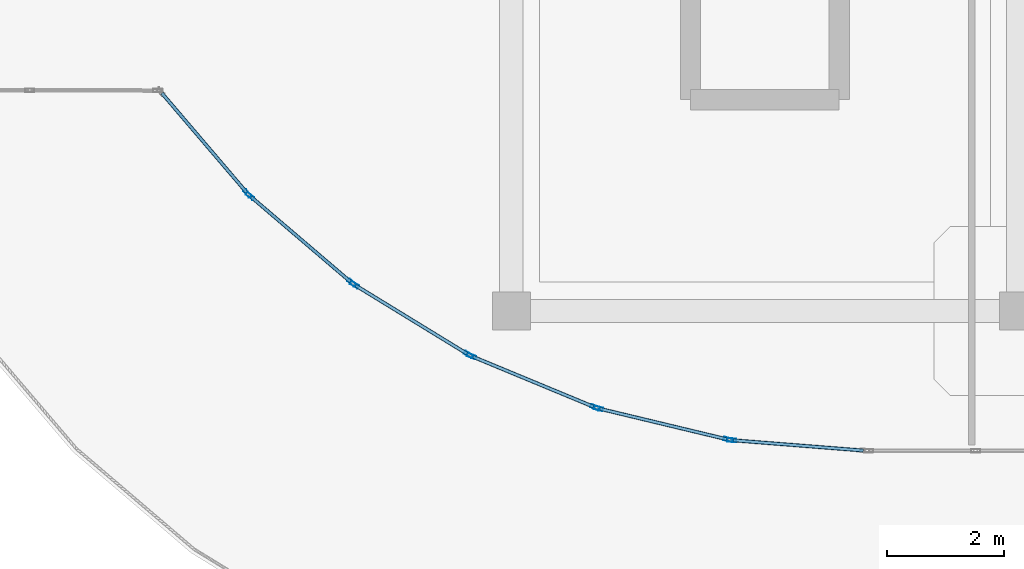
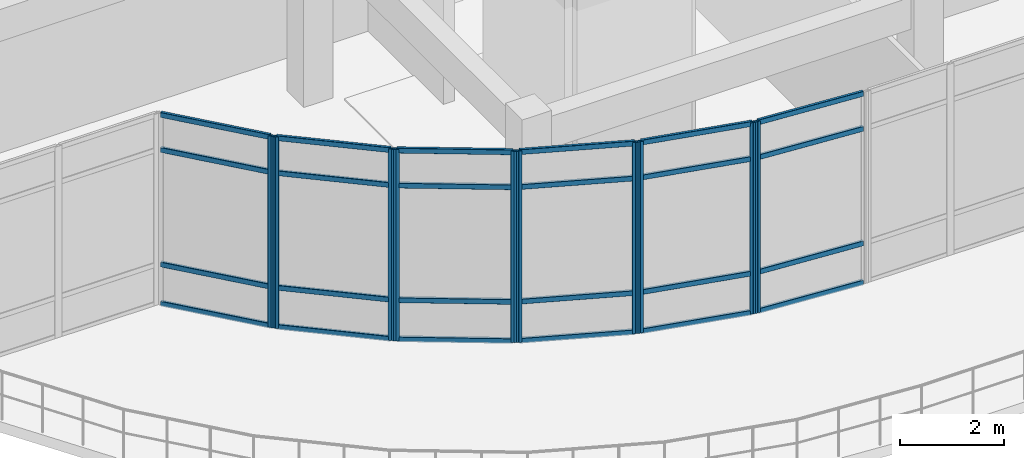
# One storey, part 5 of 41: 34 members, 6 elements without a shape of their own.
"""IFC4 building model written with IfcOpenShell, lengths in metres."""

import ifcopenshell
import ifcopenshell.guid

model = None  # the IFC model being written
_history = None  # IfcOwnerHistory: only IFC2X3 demands one
_inside = {}  # id of a spatial element -> (the spatial element, [elements in it])
_under = {}  # id of a project, library or spatial element -> (it, [spatial elements below it])
_declared = {}  # id of a project -> (the project, [libraries it declares])
_typed = {}  # id of a type object -> (the type object, [elements of that type])
_made_of = {}  # id of a material, layer set ... -> (it, [elements and type objects made of it])


def new_model(schema):
    """Start an empty IFC model of exactly this schema.

    Asked for "IFC4X3", IfcOpenShell would pick the latest addendum, in which some entities
    have other attributes; the version numbers below select the first issue.
    IFC2X3 requires an IfcOwnerHistory on every rooted entity: one is made here for all.
    """
    global model, _history
    if schema == "IFC4X3":
        model = ifcopenshell.file(schema_version=(4, 3, 0, 0))
    else:
        model = ifcopenshell.file(schema=schema)
    _inside.clear()
    _under.clear()
    _declared.clear()
    _typed.clear()
    _made_of.clear()
    _history = None
    if model.schema == "IFC2X3":
        org = make("IfcOrganization", Name="unknown")
        user = make(
            "IfcPersonAndOrganization",
            ThePerson=make("IfcPerson", FamilyName="unknown"),
            TheOrganization=org,
        )
        app = make(
            "IfcApplication",
            ApplicationDeveloper=org,
            Version="unknown",
            ApplicationFullName="unknown",
            ApplicationIdentifier="unknown",
        )
        _history = make(
            "IfcOwnerHistory",
            OwningUser=user,
            OwningApplication=app,
            ChangeAction="ADDED",
            CreationDate=0,
        )
    return model


def make(cls, **values):
    """One entity of the class cls with the attributes given. An attribute that is None is left unset."""
    return model.create_entity(
        cls, **{name: value for name, value in values.items() if value is not None}
    )


def rooted(cls, **values):
    """An entity with a GlobalId (a new one), such as an element, a storey or a relation."""
    return make(cls, GlobalId=ifcopenshell.guid.new(), OwnerHistory=_history, **values)


def si_unit(unit_type, name, prefix=None):
    """IfcSIUnit, for example si_unit("LENGTHUNIT", "METRE", prefix="MILLI")."""
    return make("IfcSIUnit", UnitType=unit_type, Prefix=prefix, Name=name)


def derived_unit(unit_type, elements):
    """IfcDerivedUnit: a product of units, each with its exponent."""
    return make(
        "IfcDerivedUnit",
        Elements=[
            make("IfcDerivedUnitElement", Unit=unit, Exponent=power)
            for unit, power in elements
        ],
        UnitType=unit_type,
    )


def assignment(units):
    """IfcUnitAssignment: the units of a project."""
    return None if units is None else make("IfcUnitAssignment", Units=units)


def point(xyz):
    """IfcCartesianPoint."""
    return None if xyz is None else make("IfcCartesianPoint", Coordinates=xyz)


def direction(xyz):
    """IfcDirection."""
    return None if xyz is None else make("IfcDirection", DirectionRatios=xyz)


def frame(location, z_axis=None, x_axis=None):
    """IfcAxis2Placement3D, a coordinate frame: its origin and axes. An axis left out is left unset."""
    return make(
        "IfcAxis2Placement3D",
        Location=point(location),
        Axis=direction(z_axis),
        RefDirection=direction(x_axis),
    )


def frame_2d(location, x_axis=None):
    """IfcAxis2Placement2D, a coordinate frame in the plane: its origin and x axis."""
    return make(
        "IfcAxis2Placement2D", Location=point(location), RefDirection=direction(x_axis)
    )


def origin():
    """The frame at (0, 0, 0) with its axes left unset."""
    return frame((0.0, 0.0, 0.0))


def origin_2d():
    """The frame at (0, 0) in the plane with its x axis left unset."""
    return frame_2d((0.0, 0.0))


def place(relative_to, where):
    """IfcLocalPlacement: puts the frame where relative to a parent placement (None: the world)."""
    return make(
        "IfcLocalPlacement", PlacementRelTo=relative_to, RelativePlacement=where
    )


def context(
    kind, dimensions, precision=None, world=None, true_north=None, identifier=None
):
    """IfcGeometricRepresentationContext, for example the 3D "Model" context."""
    return make(
        "IfcGeometricRepresentationContext",
        ContextIdentifier=identifier,
        ContextType=kind,
        CoordinateSpaceDimension=dimensions,
        Precision=precision,
        WorldCoordinateSystem=world,
        TrueNorth=true_north,
    )


def subcontext(parent, identifier, kind, view, scale=None):
    """IfcGeometricRepresentationSubContext, for example "Body" below "Model"."""
    return make(
        "IfcGeometricRepresentationSubContext",
        ContextIdentifier=identifier,
        ContextType=kind,
        ParentContext=parent,
        TargetScale=scale,
        TargetView=view,
    )


def project(units=None, contexts=None):
    """IfcProject with its units and contexts."""
    return rooted(
        "IfcProject",
        Name="project",
        RepresentationContexts=contexts,
        UnitsInContext=assignment(units),
    )


def spatial(cls, under=None, at=None, **own):
    """A site, building, storey or space (cls), placed at a placement, below another one or the project."""
    s = rooted(cls, ObjectPlacement=at, **own)
    if under is not None:
        _under.setdefault(under.id(), (under, []))[1].append(s)
    return s


def profile(cls, at=None, kind="AREA", **sizes):
    """A parametric profile (cls). Its sizes go by their IFC names, for example OverallWidth=200.0."""
    return make(cls, ProfileType=kind, Position=at, **sizes)


def hollow_rectangle(**sizes):
    """IfcRectangleHollowProfileDef."""
    return profile("IfcRectangleHollowProfileDef", **sizes)


def extrude(swept, where, along, depth):
    """IfcExtrudedAreaSolid: the profile swept, set in the frame where, extruded along a direction by depth."""
    return make(
        "IfcExtrudedAreaSolid",
        SweptArea=swept,
        Position=where,
        ExtrudedDirection=direction(along),
        Depth=depth,
    )


def shape(context_of_items, identifier, shape_type, items):
    """IfcShapeRepresentation: the items that make up one representation, for example the "Body"."""
    return make(
        "IfcShapeRepresentation",
        ContextOfItems=context_of_items,
        RepresentationIdentifier=identifier,
        RepresentationType=shape_type,
        Items=items,
    )


def material(Name=None, Category=None):
    """IfcMaterial."""
    return make("IfcMaterial", Name=Name, Category=Category)


def layer(
    of_material, thickness, ventilated=None, Name=None, Category=None, Priority=None
):
    """IfcMaterialLayer: one layer of a wall or slab, of a material (None: an air gap)."""
    return make(
        "IfcMaterialLayer",
        Material=of_material,
        LayerThickness=thickness,
        IsVentilated=ventilated,
        Name=Name,
        Category=Category,
        Priority=Priority,
    )


def layer_set(layers, Name=None):
    """IfcMaterialLayerSet."""
    return make("IfcMaterialLayerSet", MaterialLayers=layers, LayerSetName=Name)


def material_profile(
    of_material, cross_section, Name=None, Category=None, Priority=None
):
    """IfcMaterialProfile: a cross section and its material."""
    return make(
        "IfcMaterialProfile",
        Name=Name,
        Material=of_material,
        Profile=cross_section,
        Priority=Priority,
        Category=Category,
    )


def profile_set(profiles, Name=None, composite=None):
    """IfcMaterialProfileSet."""
    return make(
        "IfcMaterialProfileSet",
        Name=Name,
        MaterialProfiles=profiles,
        CompositeProfile=composite,
    )


def made_of(thing, what):
    """Note that an element or type object is made of a material, layer set ...; save() writes the relation."""
    if what is not None:
        _made_of.setdefault(what.id(), (what, []))[1].append(thing)
    return thing


def type_object(cls, material=None, **own):
    """A type object (cls), such as IfcWallType, which elements share."""
    return made_of(rooted(cls, **own), material)


def element(
    cls,
    number,
    at=None,
    inside=None,
    cuts=None,
    type_object=None,
    material=None,
    context=None,
    identifier="Body",
    shape_type=None,
    held_by="IfcProductDefinitionShape",
    body=None,
    shapes=None,
    **own,
):
    """One element of the class cls, such as IfcWall. Its Tag is "e" and its number.

    at: its placement. inside: the storey or other place that contains it. cuts: it is an
    opening in that element (IfcRelVoidsElement). A single representation is given by context,
    identifier, shape_type and body (its items); several are given by shapes. held_by: the class
    of the entity that holds the representations. save() writes the other relations.
    """
    e = rooted(cls, Tag="e%d" % number, ObjectPlacement=at, **own)
    if body is not None:
        shapes = [shape(context, identifier, shape_type, body)]
    if shapes is not None:
        e.Representation = make(held_by, Representations=shapes)
    if inside is not None:
        _inside.setdefault(inside.id(), (inside, []))[1].append(e)
    if cuts is not None:
        rooted(
            "IfcRelVoidsElement", RelatingBuildingElement=cuts, RelatedOpeningElement=e
        )
    if type_object is not None:
        _typed.setdefault(type_object.id(), (type_object, []))[1].append(e)
    return made_of(e, material)


def aggregate(whole, parts):
    """IfcRelAggregates: a whole, such as a stair, and the parts it consists of."""
    return rooted("IfcRelAggregates", RelatingObject=whole, RelatedObjects=parts)


def save(model, path):
    """Write the relations noted so far, then the file.

    IfcRelAggregates (storeys below a building ...), IfcRelContainedInSpatialStructure (elements
    in a storey), IfcRelDefinesByType, IfcRelAssociatesMaterial and IfcRelDeclares: one each for
    every whole, place, type object, material and project.
    """
    for whole, parts in _under.values():
        aggregate(whole, parts)
    for where, things in _inside.values():
        rooted(
            "IfcRelContainedInSpatialStructure",
            RelatedElements=things,
            RelatingStructure=where,
        )
    for kind, things in _typed.values():
        rooted("IfcRelDefinesByType", RelatedObjects=things, RelatingType=kind)
    for what, things in _made_of.values():
        rooted("IfcRelAssociatesMaterial", RelatedObjects=things, RelatingMaterial=what)
    for by, libraries in _declared.values():
        rooted("IfcRelDeclares", RelatingContext=by, RelatedDefinitions=libraries)
    model.write(path)


model = new_model("IFC4")

# Units and contexts
model_context = context("Model", 3, precision=1e-05, world=origin(), true_north=direction((0.0, 1.0)))
body_context = subcontext(model_context, "Body", "Model", "MODEL_VIEW")
ifc_project = project(units=[si_unit("LENGTHUNIT", "METRE"), si_unit("AREAUNIT", "SQUARE_METRE"), si_unit("VOLUMEUNIT", "CUBIC_METRE"), si_unit("PLANEANGLEUNIT", "RADIAN"), si_unit("MASSUNIT", "GRAM", prefix="KILO"), derived_unit("THERMALTRANSMITTANCEUNIT", [(si_unit("MASSUNIT", "GRAM", prefix="KILO"), 1), (si_unit("TIMEUNIT", "SECOND"), -3), (si_unit("THERMODYNAMICTEMPERATUREUNIT", "KELVIN"), -1)])], contexts=[model_context])

# Site, building, storey
site_placement = place(None, origin())
site = spatial("IfcSite", under=ifc_project, at=site_placement, CompositionType="ELEMENT")
building_placement = place(site_placement, origin())
building = spatial("IfcBuilding", under=site, at=building_placement, Name="Qinzheling Arcade Emporium", CompositionType="ELEMENT")
storey_placement = place(building_placement, frame((0.0, 0.0, 36.300048828125)))
storey = spatial("IfcBuildingStorey", under=building, at=storey_placement, Name="L08", CompositionType="ELEMENT", Elevation=36.300048828125)

# Curtain wall, member
ifc_material_1 = material(Name="Anodised aluminium and solar-control double glazing", Category="aluminium")
ifc_layer_1 = layer(ifc_material_1, 0.159912109375, Name="Anodised aluminium and solar-control double glazing", Category="aluminium")
ifc_layer_set_1 = layer_set([ifc_layer_1], Name="Anodised aluminium and solar-control double glazing")
curtain_wall_type_1 = type_object("IfcCurtainWallType", Name="Arcade Portal Glazed Curtain Wall", PredefinedType="NOTDEFINED", material=ifc_layer_set_1)
curtain_wall_1_placement = place(storey_placement, origin())
curtain_wall_1 = element("IfcCurtainWall", 1, at=curtain_wall_1_placement, inside=storey, type_object=curtain_wall_type_1, Name="Curtain Wall CW-L08-453", PredefinedType="NOTDEFINED")
ifc_material_2 = material(Name="Anodised aluminium 6063-T6", Category="aluminium")
ifc_material_profile_1 = material_profile(ifc_material_2, hollow_rectangle(XDim=0.06005859375, YDim=0.159912109375, WallThickness=0.00390625, InnerFilletRadius=0.00390625, OuterFilletRadius=0.008056640625, at=origin_2d()), Name="RHS 160x60x4", Category="aluminium")
ifc_profile_set_1 = profile_set([ifc_material_profile_1], Name="Anodised aluminium 6063-T6")
member_type_1 = type_object("IfcMemberType", Name="Curtain Wall Mullion RHS160x60", PredefinedType="MULLION", material=ifc_profile_set_1)
member_1_placement = place(storey_placement, frame((29.8828125, 22.982666015625, 0.0), z_axis=(0.0, 0.0, 1.0), x_axis=(-0.078580290076, -0.996907788119, 0.0)))
member_1 = element("IfcMember", 2, at=member_1_placement, type_object=member_type_1, Name="CW05 mullion 2", PredefinedType="MULLION", context=body_context, shape_type="SweptSolid", body=[
    extrude(hollow_rectangle(XDim=0.06005859375, YDim=0.159912109375, WallThickness=0.00390625, InnerFilletRadius=0.00390625, OuterFilletRadius=0.008056640625, at=origin_2d()), origin(), (0.0, 0.0, 1.0), 4.489990234375),
])

# Curtain wall, members
ifc_layer_2 = layer(ifc_material_1, 0.159912109375, Name="Anodised aluminium and solar-control double glazing", Category="aluminium")
ifc_layer_set_2 = layer_set([ifc_layer_2], Name="Anodised aluminium and solar-control double glazing")
curtain_wall_type_2 = type_object("IfcCurtainWallType", Name="Curved Ribbon Sales Curtain Wall", PredefinedType="NOTDEFINED", material=ifc_layer_set_2)
curtain_wall_2_placement = place(storey_placement, origin())
curtain_wall_2 = element("IfcCurtainWall", 3, at=curtain_wall_2_placement, inside=storey, type_object=curtain_wall_type_2, Name="Curtain Wall CW-L08-454", PredefinedType="NOTDEFINED")
member_2_placement = place(storey_placement, frame((29.82373046875, 22.991943359375, 0.0), z_axis=(0.0, 0.0, 1.0), x_axis=(-0.233324729854, -0.972398874145, 0.0)))
member_2 = element("IfcMember", 4, at=member_2_placement, type_object=member_type_1, Name="CW02 mullion 1", PredefinedType="MULLION", context=body_context, shape_type="SweptSolid", body=[
    extrude(hollow_rectangle(XDim=0.06005859375, YDim=0.159912109375, WallThickness=0.00390625, InnerFilletRadius=0.00390625, OuterFilletRadius=0.008056640625, at=origin_2d()), origin(), (0.0, 0.0, 1.0), 4.489990234375),
])
member_3_placement = place(storey_placement, frame((27.59423828125, 23.527099609375, 0.0), z_axis=(0.0, 0.0, 1.0), x_axis=(-0.233324729854, -0.972398874145, 0.0)))
member_3 = element("IfcMember", 5, at=member_3_placement, type_object=member_type_1, Name="CW02 mullion 2", PredefinedType="MULLION", context=body_context, shape_type="SweptSolid", body=[
    extrude(hollow_rectangle(XDim=0.06005859375, YDim=0.159912109375, WallThickness=0.00390625, InnerFilletRadius=0.00390625, OuterFilletRadius=0.008056640625, at=origin_2d()), origin(), (0.0, 0.0, 1.0), 4.489990234375),
])

curtain_wall_3_placement = place(storey_placement, origin())
curtain_wall_3 = element("IfcCurtainWall", 6, at=curtain_wall_3_placement, inside=storey, type_object=curtain_wall_type_2, Name="Curtain Wall CW-L08-455", PredefinedType="NOTDEFINED")
member_4_placement = place(storey_placement, frame((27.537353515625, 23.54541015625, 0.0), z_axis=(0.0, 0.0, 1.0), x_axis=(-0.382714431752, -0.923866691535, 0.0)))
member_4 = element("IfcMember", 7, at=member_4_placement, type_object=member_type_1, Name="CW02 mullion 1", PredefinedType="MULLION", context=body_context, shape_type="SweptSolid", body=[
    extrude(hollow_rectangle(XDim=0.06005859375, YDim=0.159912109375, WallThickness=0.00390625, InnerFilletRadius=0.00390625, OuterFilletRadius=0.008056640625, at=origin_2d()), origin(), (0.0, 0.0, 1.0), 4.489990234375),
])
member_5_placement = place(storey_placement, frame((25.417724609375, 24.423583984375, 0.0), z_axis=(0.0, 0.0, 1.0), x_axis=(-0.382714431752, -0.923866691535, 0.0)))
member_5 = element("IfcMember", 8, at=member_5_placement, type_object=member_type_1, Name="CW02 mullion 2", PredefinedType="MULLION", context=body_context, shape_type="SweptSolid", body=[
    extrude(hollow_rectangle(XDim=0.06005859375, YDim=0.159912109375, WallThickness=0.00390625, InnerFilletRadius=0.00390625, OuterFilletRadius=0.008056640625, at=origin_2d()), origin(), (0.0, 0.0, 1.0), 4.489990234375),
])

curtain_wall_4_placement = place(storey_placement, origin())
curtain_wall_4 = element("IfcCurtainWall", 9, at=curtain_wall_4_placement, inside=storey, type_object=curtain_wall_type_2, Name="Curtain Wall CW-L08-456", PredefinedType="NOTDEFINED")
member_6_placement = place(storey_placement, frame((25.364501953125, 24.45068359375, 0.0), z_axis=(0.0, 0.0, 1.0), x_axis=(-0.522532172191, -0.852619568756, 0.0)))
member_6 = element("IfcMember", 10, at=member_6_placement, type_object=member_type_1, Name="CW02 mullion 1", PredefinedType="MULLION", context=body_context, shape_type="SweptSolid", body=[
    extrude(hollow_rectangle(XDim=0.06005859375, YDim=0.159912109375, WallThickness=0.00390625, InnerFilletRadius=0.00390625, OuterFilletRadius=0.008056640625, at=origin_2d()), origin(), (0.0, 0.0, 1.0), 4.489990234375),
])
member_7_placement = place(storey_placement, frame((23.40869140625, 25.6494140625, 0.0), z_axis=(0.0, 0.0, 1.0), x_axis=(-0.522532172191, -0.852619568756, 0.0)))
member_7 = element("IfcMember", 11, at=member_7_placement, type_object=member_type_1, Name="CW02 mullion 2", PredefinedType="MULLION", context=body_context, shape_type="SweptSolid", body=[
    extrude(hollow_rectangle(XDim=0.06005859375, YDim=0.159912109375, WallThickness=0.00390625, InnerFilletRadius=0.00390625, OuterFilletRadius=0.008056640625, at=origin_2d()), origin(), (0.0, 0.0, 1.0), 4.489990234375),
])

curtain_wall_5_placement = place(storey_placement, origin())
curtain_wall_5 = element("IfcCurtainWall", 12, at=curtain_wall_5_placement, inside=storey, type_object=curtain_wall_type_2, Name="Curtain Wall CW-L08-457", PredefinedType="NOTDEFINED")
member_8_placement = place(storey_placement, frame((23.360107421875, 25.6845703125, 0.0), z_axis=(0.0, 0.0, 1.0), x_axis=(-0.649250390185, -0.760574737185, 0.0)))
member_8 = element("IfcMember", 13, at=member_8_placement, type_object=member_type_1, Name="CW02 mullion 1", PredefinedType="MULLION", context=body_context, shape_type="SweptSolid", body=[
    extrude(hollow_rectangle(XDim=0.06005859375, YDim=0.159912109375, WallThickness=0.00390625, InnerFilletRadius=0.00390625, OuterFilletRadius=0.008056640625, at=origin_2d()), origin(), (0.0, 0.0, 1.0), 4.489990234375),
])
member_9_placement = place(storey_placement, frame((21.61572265625, 27.173583984375, 0.0), z_axis=(0.0, 0.0, 1.0), x_axis=(-0.649250390185, -0.760574737185, 0.0)))
member_9 = element("IfcMember", 14, at=member_9_placement, type_object=member_type_1, Name="CW02 mullion 2", PredefinedType="MULLION", context=body_context, shape_type="SweptSolid", body=[
    extrude(hollow_rectangle(XDim=0.06005859375, YDim=0.159912109375, WallThickness=0.00390625, InnerFilletRadius=0.00390625, OuterFilletRadius=0.008056640625, at=origin_2d()), origin(), (0.0, 0.0, 1.0), 4.489990234375),
])

# Curtain wall, member
curtain_wall_6_placement = place(storey_placement, origin())
curtain_wall_6 = element("IfcCurtainWall", 15, at=curtain_wall_6_placement, inside=storey, type_object=curtain_wall_type_2, Name="Curtain Wall CW-L08-458", PredefinedType="NOTDEFINED")
member_10_placement = place(storey_placement, frame((21.573486328125, 27.2158203125, 0.0), z_axis=(0.0, 0.0, 1.0), x_axis=(-0.760574737185, -0.649250390185, 0.0)))
member_10 = element("IfcMember", 16, at=member_10_placement, type_object=member_type_1, Name="CW02 mullion 1", PredefinedType="MULLION", context=body_context, shape_type="SweptSolid", body=[
    extrude(hollow_rectangle(XDim=0.06005859375, YDim=0.159912109375, WallThickness=0.00390625, InnerFilletRadius=0.00390625, OuterFilletRadius=0.008056640625, at=origin_2d()), origin(), (0.0, 0.0, 1.0), 4.489990234375),
])

# Member
ifc_material_profile_2 = material_profile(ifc_material_2, hollow_rectangle(XDim=0.06005859375, YDim=0.1201171875, WallThickness=0.00390625, InnerFilletRadius=0.00390625, OuterFilletRadius=0.008056640625, at=origin_2d()), Name="RHS 120x60x4", Category="aluminium")
ifc_profile_set_2 = profile_set([ifc_material_profile_2], Name="Anodised aluminium 6063-T6")
member_type_2 = type_object("IfcMemberType", Name="Curtain Wall Transom RHS120x60", PredefinedType="USERDEFINED", material=ifc_profile_set_2)
member_11_placement = place(storey_placement, frame((32.14013671875, 22.8046875, 0.030029296875), z_axis=(-0.996908743642, 0.078568166905, 0.0), x_axis=(-0.078568166905, -0.996908743642, 0.0)))
member_11 = element("IfcMember", 17, at=member_11_placement, type_object=member_type_2, Name="CW05 transom 1.1", ObjectType="TRANSOM", PredefinedType="USERDEFINED", context=body_context, shape_type="SweptSolid", body=[
    extrude(hollow_rectangle(XDim=0.06005859375, YDim=0.1201171875, WallThickness=0.00390625, InnerFilletRadius=0.00390625, OuterFilletRadius=0.008056640625, at=origin_2d()), origin(), (0.0, 0.0, 1.0), 2.234130859375),
])

member_12_placement = place(storey_placement, frame((32.14013671875, 22.8046875, 0.949951171875), z_axis=(-0.996908743642, 0.078568166905, 0.0), x_axis=(-0.078568166905, -0.996908743642, 0.0)))
member_12 = element("IfcMember", 18, at=member_12_placement, type_object=member_type_2, Name="CW05 transom 1.2", ObjectType="TRANSOM", PredefinedType="USERDEFINED", context=body_context, shape_type="SweptSolid", body=[
    extrude(hollow_rectangle(XDim=0.06005859375, YDim=0.1201171875, WallThickness=0.00390625, InnerFilletRadius=0.00390625, OuterFilletRadius=0.008056640625, at=origin_2d()), origin(), (0.0, 0.0, 1.0), 2.234130859375),
])

member_13_placement = place(storey_placement, frame((32.14013671875, 22.8046875, 3.639892578125), z_axis=(-0.996908743642, 0.078568166905, 0.0), x_axis=(-0.078568166905, -0.996908743642, 0.0)))
member_13 = element("IfcMember", 19, at=member_13_placement, type_object=member_type_2, Name="CW05 transom 1.3", ObjectType="TRANSOM", PredefinedType="USERDEFINED", context=body_context, shape_type="SweptSolid", body=[
    extrude(hollow_rectangle(XDim=0.06005859375, YDim=0.1201171875, WallThickness=0.00390625, InnerFilletRadius=0.00390625, OuterFilletRadius=0.008056640625, at=origin_2d()), origin(), (0.0, 0.0, 1.0), 2.234130859375),
])

member_14_placement = place(storey_placement, frame((32.14013671875, 22.8046875, 4.4599609375), z_axis=(-0.996908743642, 0.078568166905, 0.0), x_axis=(-0.078568166905, -0.996908743642, 0.0)))
member_14 = element("IfcMember", 20, at=member_14_placement, type_object=member_type_2, Name="CW05 transom 1.4", ObjectType="TRANSOM", PredefinedType="USERDEFINED", context=body_context, shape_type="SweptSolid", body=[
    extrude(hollow_rectangle(XDim=0.06005859375, YDim=0.1201171875, WallThickness=0.00390625, InnerFilletRadius=0.00390625, OuterFilletRadius=0.008056640625, at=origin_2d()), origin(), (0.0, 0.0, 1.0), 2.234130859375),
])

aggregate(curtain_wall_1, [member_1, member_11, member_12, member_13, member_14])

member_15_placement = place(storey_placement, frame((29.794677734375, 22.9990234375, 0.030029296875), z_axis=(-0.972401194222, 0.233315060543, 0.0), x_axis=(-0.233315060543, -0.972401194222, 0.0)))
member_15 = element("IfcMember", 21, at=member_15_placement, type_object=member_type_2, Name="CW02 transom 1.1", ObjectType="TRANSOM", PredefinedType="USERDEFINED", context=body_context, shape_type="SweptSolid", body=[
    extrude(hollow_rectangle(XDim=0.06005859375, YDim=0.1201171875, WallThickness=0.00390625, InnerFilletRadius=0.00390625, OuterFilletRadius=0.008056640625, at=origin_2d()), origin(), (0.0, 0.0, 1.0), 2.23291015625),
])

member_16_placement = place(storey_placement, frame((29.794677734375, 22.9990234375, 0.949951171875), z_axis=(-0.972401194222, 0.233315060543, 0.0), x_axis=(-0.233315060543, -0.972401194222, 0.0)))
member_16 = element("IfcMember", 22, at=member_16_placement, type_object=member_type_2, Name="CW02 transom 1.2", ObjectType="TRANSOM", PredefinedType="USERDEFINED", context=body_context, shape_type="SweptSolid", body=[
    extrude(hollow_rectangle(XDim=0.06005859375, YDim=0.1201171875, WallThickness=0.00390625, InnerFilletRadius=0.00390625, OuterFilletRadius=0.008056640625, at=origin_2d()), origin(), (0.0, 0.0, 1.0), 2.23291015625),
])

member_17_placement = place(storey_placement, frame((29.794677734375, 22.9990234375, 3.639892578125), z_axis=(-0.972401194222, 0.233315060543, 0.0), x_axis=(-0.233315060543, -0.972401194222, 0.0)))
member_17 = element("IfcMember", 23, at=member_17_placement, type_object=member_type_2, Name="CW02 transom 1.3", ObjectType="TRANSOM", PredefinedType="USERDEFINED", context=body_context, shape_type="SweptSolid", body=[
    extrude(hollow_rectangle(XDim=0.06005859375, YDim=0.1201171875, WallThickness=0.00390625, InnerFilletRadius=0.00390625, OuterFilletRadius=0.008056640625, at=origin_2d()), origin(), (0.0, 0.0, 1.0), 2.23291015625),
])

member_18_placement = place(storey_placement, frame((29.794677734375, 22.9990234375, 4.4599609375), z_axis=(-0.972401194222, 0.233315060543, 0.0), x_axis=(-0.233315060543, -0.972401194222, 0.0)))
member_18 = element("IfcMember", 24, at=member_18_placement, type_object=member_type_2, Name="CW02 transom 1.4", ObjectType="TRANSOM", PredefinedType="USERDEFINED", context=body_context, shape_type="SweptSolid", body=[
    extrude(hollow_rectangle(XDim=0.06005859375, YDim=0.1201171875, WallThickness=0.00390625, InnerFilletRadius=0.00390625, OuterFilletRadius=0.008056640625, at=origin_2d()), origin(), (0.0, 0.0, 1.0), 2.23291015625),
])

aggregate(curtain_wall_2, [member_2, member_3, member_15, member_16, member_17, member_18])

member_19_placement = place(storey_placement, frame((27.509521484375, 23.556884765625, 0.030029296875), z_axis=(-0.923847684188, 0.382760311971, 0.0), x_axis=(-0.382760311971, -0.923847684188, 0.0)))
member_19 = element("IfcMember", 25, at=member_19_placement, type_object=member_type_2, Name="CW02 transom 1.1", ObjectType="TRANSOM", PredefinedType="USERDEFINED", context=body_context, shape_type="SweptSolid", body=[
    extrude(hollow_rectangle(XDim=0.06005859375, YDim=0.1201171875, WallThickness=0.00390625, InnerFilletRadius=0.00390625, OuterFilletRadius=0.008056640625, at=origin_2d()), origin(), (0.0, 0.0, 1.0), 2.234375),
])

member_20_placement = place(storey_placement, frame((27.509521484375, 23.556884765625, 0.949951171875), z_axis=(-0.923847684188, 0.382760311971, 0.0), x_axis=(-0.382760311971, -0.923847684188, 0.0)))
member_20 = element("IfcMember", 26, at=member_20_placement, type_object=member_type_2, Name="CW02 transom 1.2", ObjectType="TRANSOM", PredefinedType="USERDEFINED", context=body_context, shape_type="SweptSolid", body=[
    extrude(hollow_rectangle(XDim=0.06005859375, YDim=0.1201171875, WallThickness=0.00390625, InnerFilletRadius=0.00390625, OuterFilletRadius=0.008056640625, at=origin_2d()), origin(), (0.0, 0.0, 1.0), 2.234375),
])

member_21_placement = place(storey_placement, frame((27.509521484375, 23.556884765625, 3.639892578125), z_axis=(-0.923847684188, 0.382760311971, 0.0), x_axis=(-0.382760311971, -0.923847684188, 0.0)))
member_21 = element("IfcMember", 27, at=member_21_placement, type_object=member_type_2, Name="CW02 transom 1.3", ObjectType="TRANSOM", PredefinedType="USERDEFINED", context=body_context, shape_type="SweptSolid", body=[
    extrude(hollow_rectangle(XDim=0.06005859375, YDim=0.1201171875, WallThickness=0.00390625, InnerFilletRadius=0.00390625, OuterFilletRadius=0.008056640625, at=origin_2d()), origin(), (0.0, 0.0, 1.0), 2.234375),
])

member_22_placement = place(storey_placement, frame((27.509521484375, 23.556884765625, 4.4599609375), z_axis=(-0.923847684188, 0.382760311971, 0.0), x_axis=(-0.382760311971, -0.923847684188, 0.0)))
member_22 = element("IfcMember", 28, at=member_22_placement, type_object=member_type_2, Name="CW02 transom 1.4", ObjectType="TRANSOM", PredefinedType="USERDEFINED", context=body_context, shape_type="SweptSolid", body=[
    extrude(hollow_rectangle(XDim=0.06005859375, YDim=0.1201171875, WallThickness=0.00390625, InnerFilletRadius=0.00390625, OuterFilletRadius=0.008056640625, at=origin_2d()), origin(), (0.0, 0.0, 1.0), 2.234375),
])

aggregate(curtain_wall_3, [member_4, member_5, member_19, member_20, member_21, member_22])

member_23_placement = place(storey_placement, frame((25.3388671875, 24.46630859375, 0.030029296875), z_axis=(-0.852643657578, 0.52249286425, 0.0), x_axis=(-0.52249286425, -0.852643657578, 0.0)))
member_23 = element("IfcMember", 29, at=member_23_placement, type_object=member_type_2, Name="CW02 transom 1.1", ObjectType="TRANSOM", PredefinedType="USERDEFINED", context=body_context, shape_type="SweptSolid", body=[
    extrude(hollow_rectangle(XDim=0.06005859375, YDim=0.1201171875, WallThickness=0.00390625, InnerFilletRadius=0.00390625, OuterFilletRadius=0.008056640625, at=origin_2d()), origin(), (0.0, 0.0, 1.0), 2.23388671875),
])

member_24_placement = place(storey_placement, frame((25.3388671875, 24.46630859375, 0.949951171875), z_axis=(-0.852643657578, 0.52249286425, 0.0), x_axis=(-0.52249286425, -0.852643657578, 0.0)))
member_24 = element("IfcMember", 30, at=member_24_placement, type_object=member_type_2, Name="CW02 transom 1.2", ObjectType="TRANSOM", PredefinedType="USERDEFINED", context=body_context, shape_type="SweptSolid", body=[
    extrude(hollow_rectangle(XDim=0.06005859375, YDim=0.1201171875, WallThickness=0.00390625, InnerFilletRadius=0.00390625, OuterFilletRadius=0.008056640625, at=origin_2d()), origin(), (0.0, 0.0, 1.0), 2.23388671875),
])

member_25_placement = place(storey_placement, frame((25.3388671875, 24.46630859375, 3.639892578125), z_axis=(-0.852643657578, 0.52249286425, 0.0), x_axis=(-0.52249286425, -0.852643657578, 0.0)))
member_25 = element("IfcMember", 31, at=member_25_placement, type_object=member_type_2, Name="CW02 transom 1.3", ObjectType="TRANSOM", PredefinedType="USERDEFINED", context=body_context, shape_type="SweptSolid", body=[
    extrude(hollow_rectangle(XDim=0.06005859375, YDim=0.1201171875, WallThickness=0.00390625, InnerFilletRadius=0.00390625, OuterFilletRadius=0.008056640625, at=origin_2d()), origin(), (0.0, 0.0, 1.0), 2.23388671875),
])

member_26_placement = place(storey_placement, frame((25.3388671875, 24.46630859375, 4.4599609375), z_axis=(-0.852643657578, 0.52249286425, 0.0), x_axis=(-0.52249286425, -0.852643657578, 0.0)))
member_26 = element("IfcMember", 32, at=member_26_placement, type_object=member_type_2, Name="CW02 transom 1.4", ObjectType="TRANSOM", PredefinedType="USERDEFINED", context=body_context, shape_type="SweptSolid", body=[
    extrude(hollow_rectangle(XDim=0.06005859375, YDim=0.1201171875, WallThickness=0.00390625, InnerFilletRadius=0.00390625, OuterFilletRadius=0.008056640625, at=origin_2d()), origin(), (0.0, 0.0, 1.0), 2.23388671875),
])

aggregate(curtain_wall_4, [member_6, member_7, member_23, member_24, member_25, member_26])

member_27_placement = place(storey_placement, frame((23.33740234375, 25.703857421875, 0.030029296875), z_axis=(-0.760551337176, 0.649277801499, 0.0), x_axis=(-0.649277801499, -0.760551337176, 0.0)))
member_27 = element("IfcMember", 33, at=member_27_placement, type_object=member_type_2, Name="CW02 transom 1.1", ObjectType="TRANSOM", PredefinedType="USERDEFINED", context=body_context, shape_type="SweptSolid", body=[
    extrude(hollow_rectangle(XDim=0.06005859375, YDim=0.1201171875, WallThickness=0.00390625, InnerFilletRadius=0.00390625, OuterFilletRadius=0.008056640625, at=origin_2d()), origin(), (0.0, 0.0, 1.0), 2.233642578125),
])

member_28_placement = place(storey_placement, frame((23.33740234375, 25.703857421875, 0.949951171875), z_axis=(-0.760551337176, 0.649277801499, 0.0), x_axis=(-0.649277801499, -0.760551337176, 0.0)))
member_28 = element("IfcMember", 34, at=member_28_placement, type_object=member_type_2, Name="CW02 transom 1.2", ObjectType="TRANSOM", PredefinedType="USERDEFINED", context=body_context, shape_type="SweptSolid", body=[
    extrude(hollow_rectangle(XDim=0.06005859375, YDim=0.1201171875, WallThickness=0.00390625, InnerFilletRadius=0.00390625, OuterFilletRadius=0.008056640625, at=origin_2d()), origin(), (0.0, 0.0, 1.0), 2.233642578125),
])

member_29_placement = place(storey_placement, frame((23.33740234375, 25.703857421875, 3.639892578125), z_axis=(-0.760551337176, 0.649277801499, 0.0), x_axis=(-0.649277801499, -0.760551337176, 0.0)))
member_29 = element("IfcMember", 35, at=member_29_placement, type_object=member_type_2, Name="CW02 transom 1.3", ObjectType="TRANSOM", PredefinedType="USERDEFINED", context=body_context, shape_type="SweptSolid", body=[
    extrude(hollow_rectangle(XDim=0.06005859375, YDim=0.1201171875, WallThickness=0.00390625, InnerFilletRadius=0.00390625, OuterFilletRadius=0.008056640625, at=origin_2d()), origin(), (0.0, 0.0, 1.0), 2.233642578125),
])

member_30_placement = place(storey_placement, frame((23.33740234375, 25.703857421875, 4.4599609375), z_axis=(-0.760551337176, 0.649277801499, 0.0), x_axis=(-0.649277801499, -0.760551337176, 0.0)))
member_30 = element("IfcMember", 36, at=member_30_placement, type_object=member_type_2, Name="CW02 transom 1.4", ObjectType="TRANSOM", PredefinedType="USERDEFINED", context=body_context, shape_type="SweptSolid", body=[
    extrude(hollow_rectangle(XDim=0.06005859375, YDim=0.1201171875, WallThickness=0.00390625, InnerFilletRadius=0.00390625, OuterFilletRadius=0.008056640625, at=origin_2d()), origin(), (0.0, 0.0, 1.0), 2.233642578125),
])

aggregate(curtain_wall_5, [member_8, member_9, member_27, member_28, member_29, member_30])

member_31_placement = place(storey_placement, frame((21.553955078125, 27.238525390625, 0.030029296875), z_axis=(-0.649214567971, 0.76060531469, 0.0), x_axis=(-0.76060531469, -0.649214567971, 0.0)))
member_31 = element("IfcMember", 37, at=member_31_placement, type_object=member_type_2, Name="CW02 transom 1.1", ObjectType="TRANSOM", PredefinedType="USERDEFINED", context=body_context, shape_type="SweptSolid", body=[
    extrude(hollow_rectangle(XDim=0.06005859375, YDim=0.1201171875, WallThickness=0.00390625, InnerFilletRadius=0.00390625, OuterFilletRadius=0.008056640625, at=origin_2d()), origin(), (0.0, 0.0, 1.0), 2.2333984375),
])

member_32_placement = place(storey_placement, frame((21.553955078125, 27.238525390625, 0.949951171875), z_axis=(-0.649214567971, 0.76060531469, 0.0), x_axis=(-0.76060531469, -0.649214567971, 0.0)))
member_32 = element("IfcMember", 38, at=member_32_placement, type_object=member_type_2, Name="CW02 transom 1.2", ObjectType="TRANSOM", PredefinedType="USERDEFINED", context=body_context, shape_type="SweptSolid", body=[
    extrude(hollow_rectangle(XDim=0.06005859375, YDim=0.1201171875, WallThickness=0.00390625, InnerFilletRadius=0.00390625, OuterFilletRadius=0.008056640625, at=origin_2d()), origin(), (0.0, 0.0, 1.0), 2.2333984375),
])

member_33_placement = place(storey_placement, frame((21.553955078125, 27.238525390625, 3.639892578125), z_axis=(-0.649214567971, 0.76060531469, 0.0), x_axis=(-0.76060531469, -0.649214567971, 0.0)))
member_33 = element("IfcMember", 39, at=member_33_placement, type_object=member_type_2, Name="CW02 transom 1.3", ObjectType="TRANSOM", PredefinedType="USERDEFINED", context=body_context, shape_type="SweptSolid", body=[
    extrude(hollow_rectangle(XDim=0.06005859375, YDim=0.1201171875, WallThickness=0.00390625, InnerFilletRadius=0.00390625, OuterFilletRadius=0.008056640625, at=origin_2d()), origin(), (0.0, 0.0, 1.0), 2.2333984375),
])

member_34_placement = place(storey_placement, frame((21.553955078125, 27.238525390625, 4.4599609375), z_axis=(-0.649214567971, 0.76060531469, 0.0), x_axis=(-0.76060531469, -0.649214567971, 0.0)))
member_34 = element("IfcMember", 40, at=member_34_placement, type_object=member_type_2, Name="CW02 transom 1.4", ObjectType="TRANSOM", PredefinedType="USERDEFINED", context=body_context, shape_type="SweptSolid", body=[
    extrude(hollow_rectangle(XDim=0.06005859375, YDim=0.1201171875, WallThickness=0.00390625, InnerFilletRadius=0.00390625, OuterFilletRadius=0.008056640625, at=origin_2d()), origin(), (0.0, 0.0, 1.0), 2.2333984375),
])

aggregate(curtain_wall_6, [member_10, member_31, member_32, member_33, member_34])

save(model, "model.ifc")
